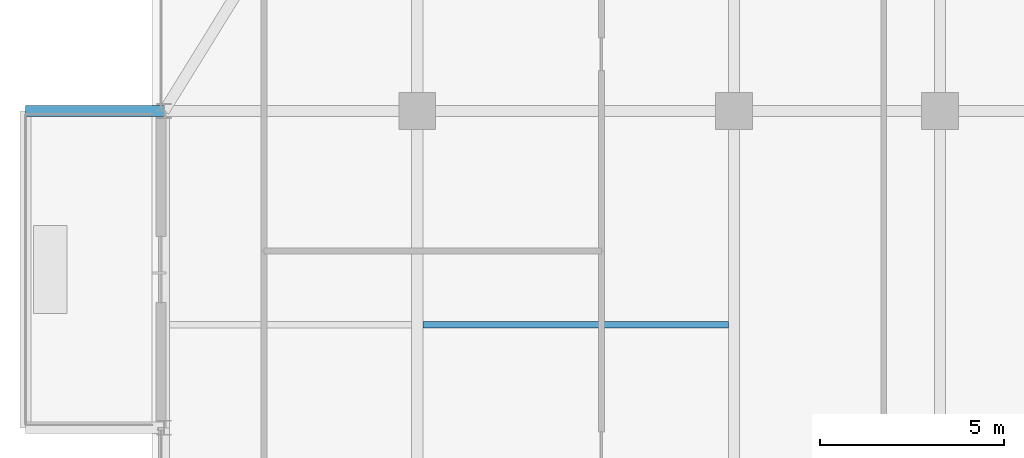
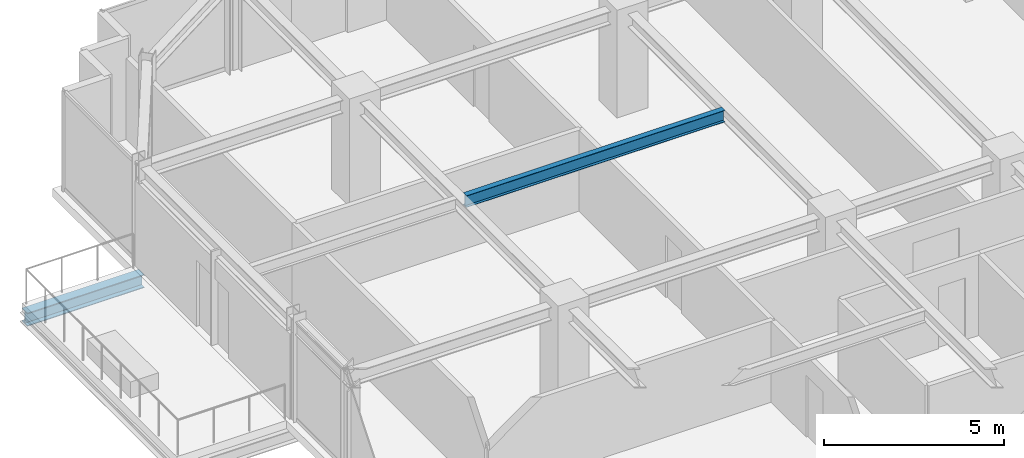
# One storey, part 19 of 36: 2 beams.
"""IFC4 building model written with IfcOpenShell, lengths in metres."""

from ifc_helpers import new_model, si_unit, direction, frame, origin, origin_2d, place, context, subcontext, project, spatial, i_section, extrude, source, transform, mapped, material, material_profile, profile_set, type_object, element, save


model = new_model("IFC4")

# Units and contexts
model_context = context("Model", 3, precision=1e-05, world=origin(), true_north=direction((0.0, 1.0)))
body_context = subcontext(model_context, "Body", "Model", "MODEL_VIEW")
ifc_project = project(units=[si_unit("LENGTHUNIT", "METRE"), si_unit("AREAUNIT", "SQUARE_METRE"), si_unit("VOLUMEUNIT", "CUBIC_METRE"), si_unit("PLANEANGLEUNIT", "RADIAN"), si_unit("MASSUNIT", "GRAM", prefix="KILO")], contexts=[model_context])

# Site, building, storey
site_placement = place(None, origin())
site = spatial("IfcSite", under=ifc_project, at=site_placement, CompositionType="ELEMENT")
building_placement = place(site_placement, origin())
building = spatial("IfcBuilding", under=site, at=building_placement, Name="Nahalor Promenade Grand Hotel", CompositionType="ELEMENT")
storey_placement = place(building_placement, frame((0.0, 0.0, 241.89990234375)))
storey = spatial("IfcBuildingStorey", under=building, at=storey_placement, Name="L62", CompositionType="ELEMENT", Elevation=241.89990234375)

# Beams
ifc_material = material(Name="Steel S355JR", Category="steel")
ifc_material_profile_1 = material_profile(ifc_material, i_section(OverallWidth=0.3, OverallDepth=0.45, WebThickness=0.014, FlangeThickness=0.026, at=origin_2d()), Name="HEB 450")
ifc_profile_set_1 = profile_set([ifc_material_profile_1], Name="Steel S355JR")
beam_type_1 = type_object("IfcBeamType", Name="Beam-Outrigger-HEB450", PredefinedType="BEAM", material=ifc_profile_set_1)
shared_shape_1 = source(origin(), body_context, "Body", "SweptSolid", [
    extrude(i_section(OverallWidth=0.3, OverallDepth=0.45, WebThickness=0.014, FlangeThickness=0.026, at=origin_2d()), origin(), (0.0, 0.0, 1.0), 3.760009765625),
])
beam_1_placement = place(storey_placement, frame((-27.639892578125, 17.0, -0.5048828125), z_axis=(1.0, 0.0, 0.0), x_axis=(0.0, 1.0, 0.0)))
element("IfcBeam", 1, at=beam_1_placement, inside=storey, type_object=beam_type_1, Name="BM-L62-BC-02-2", PredefinedType="BEAM", context=body_context, shape_type="MappedRepresentation", body=[
    mapped(shared_shape_1, transform((0.0, 0.0, 0.0), scale=1.0)),
])
ifc_material_profile_2 = material_profile(ifc_material, i_section(OverallWidth=0.18, OverallDepth=0.4, WebThickness=0.0086, FlangeThickness=0.0135, at=origin_2d()), Name="IPE 400")
ifc_profile_set_2 = profile_set([ifc_material_profile_2], Name="Steel S355JR")
beam_type_2 = type_object("IfcBeamType", Name="Beam-Joist-IPE400", PredefinedType="JOIST", material=ifc_profile_set_2)
shared_shape_2 = source(origin(), body_context, "Body", "SweptSolid", [
    extrude(i_section(OverallWidth=0.18, OverallDepth=0.4, WebThickness=0.0086, FlangeThickness=0.0135, at=origin_2d()), origin(), (0.0, 0.0, 1.0), 8.300048828125),
])
beam_2_placement = place(storey_placement, frame((-16.85009765625, 11.199951171875, 3.210205078125), z_axis=(1.0, 0.0, 0.0), x_axis=(0.0, 1.0, 0.0)))
element("IfcBeam", 2, at=beam_2_placement, inside=storey, type_object=beam_type_2, Name="BM-L62-JSW-1-1", PredefinedType="JOIST", context=body_context, shape_type="MappedRepresentation", body=[
    mapped(shared_shape_2, transform((0.0, 0.0, 0.0), scale=1.0)),
])

save(model, "model.ifc")
